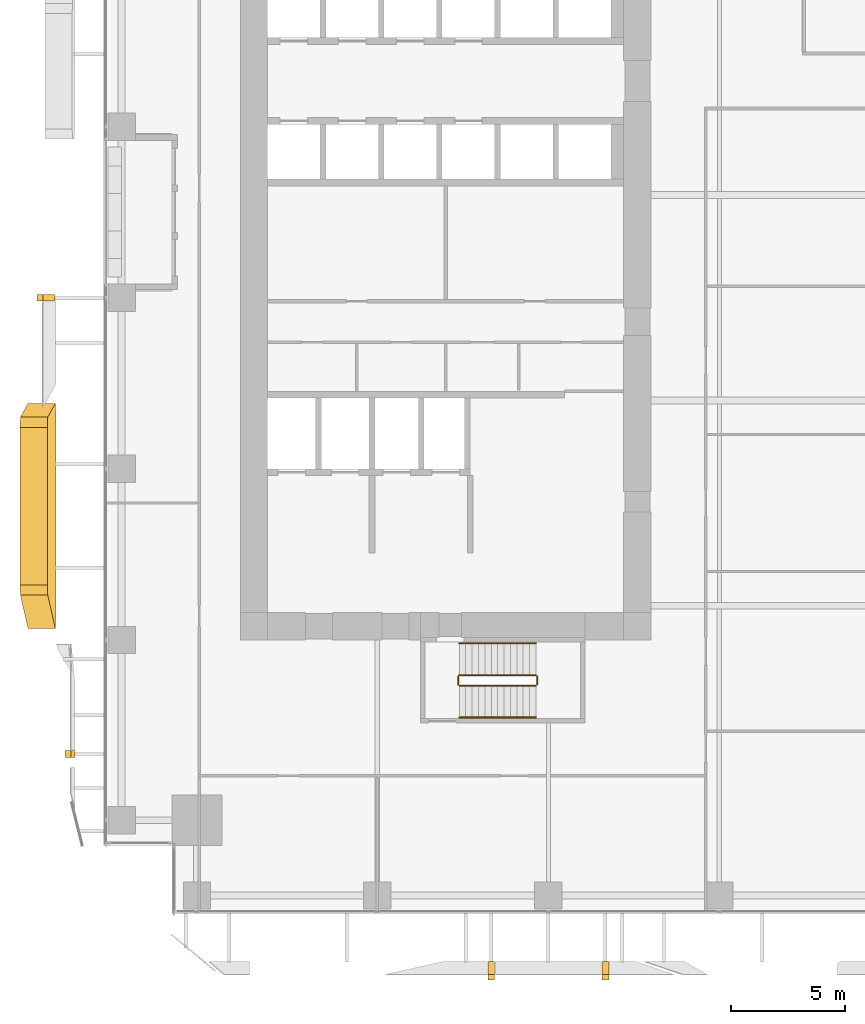
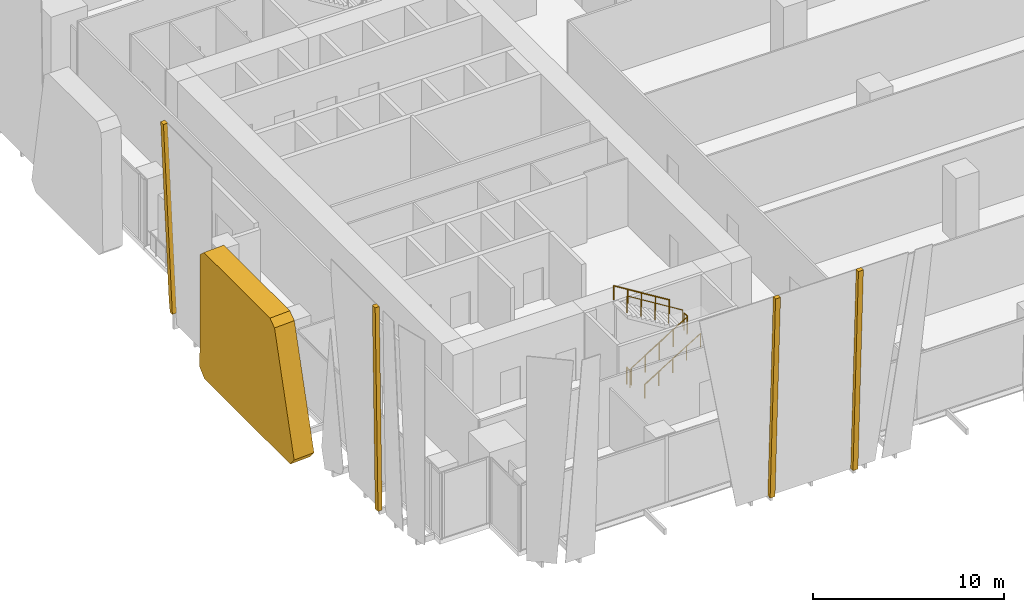
# One storey, part 33 of 37: 6 railings, 5 coverings.
"""IFC4 building model written with IfcOpenShell, lengths in metres."""

from ifc_helpers import new_model, si_unit, direction, frame, origin, origin_2d, place, context, subcontext, project, spatial, polyline, circle, outline, extrude, source, transform, mapped, material, layer, layer_set, type_object, element, save


model = new_model("IFC4")

# Units and contexts
model_context = context("Model", 3, precision=1e-05, world=origin(), true_north=direction((0.0, 1.0)))
body_context = subcontext(model_context, "Body", "Model", "MODEL_VIEW")
ifc_project = project(units=[si_unit("LENGTHUNIT", "METRE"), si_unit("AREAUNIT", "SQUARE_METRE"), si_unit("VOLUMEUNIT", "CUBIC_METRE"), si_unit("PLANEANGLEUNIT", "RADIAN"), si_unit("MASSUNIT", "GRAM", prefix="KILO")], contexts=[model_context])

# Site, building, storey
site_placement = place(None, origin())
site = spatial("IfcSite", under=ifc_project, at=site_placement, CompositionType="ELEMENT")
building_placement = place(site_placement, origin())
building = spatial("IfcBuilding", under=site, at=building_placement, Name="Khomas Fold Tower", CompositionType="ELEMENT")
storey_placement = place(building_placement, frame((0.0, 0.0, 60.0)))
storey = spatial("IfcBuildingStorey", under=building, at=storey_placement, Name="L12", CompositionType="ELEMENT", Elevation=60.0)

# Coverings
ifc_material_1 = material(Name="Natural stone cladding", Category="masonry")
ifc_layer_1 = layer(ifc_material_1, 0.25)
ifc_layer_set_1 = layer_set([ifc_layer_1], Name="Natural stone cladding")
covering_type_1 = type_object("IfcCoveringType", Name="SK-Karibib marble stone mullion", PredefinedType="CLADDING", material=ifc_layer_set_1)
for number, where, z_axis, x_axis, name in (
    (1, (16.85009765625, -2.08251953125, 0.0), (0.0, 0.99904235518, 0.043753543365), (0.0, -0.043753543365, 0.99904235518), "OUTER SKIN mullion L12 SM101-5"),
    (2, (21.85009765625, -2.08251953125, 0.0), (0.0, 0.99904235518, 0.043753543365), (0.0, -0.043753543365, 0.99904235518), "OUTER SKIN mullion L12 SM102-7"),
):
    element("IfcCovering", number, at=place(storey_placement, frame(where, z_axis=z_axis, x_axis=x_axis)), inside=storey, type_object=covering_type_1, Name=name, PredefinedType="CLADDING", context=body_context, shape_type="SweptSolid", body=[
        extrude(outline(polyline([(0.0, 0.0), (13.062558119247587, 0.0), (13.062558119247587, 0.2998046875), (0.0, 0.2998046875), (0.0, 0.0)])), origin(), (0.0, 0.0, -1.0), 0.25),
    ])
covering_1_placement = place(storey_placement, frame((-1.254638671875, 6.85009765625, 0.0), z_axis=(0.999913527075, 0.0, 0.013150603512), x_axis=(-0.013150603512, 0.0, 0.999913527075)))
element("IfcCovering", 3, at=covering_1_placement, inside=storey, type_object=covering_type_1, Name="OUTER SKIN mullion L12 WM099-3", PredefinedType="CLADDING", context=body_context, shape_type="SweptSolid", body=[
    extrude(outline(polyline([(0.0, 0.0), (13.051177401611568, 0.0), (13.051177401611568, -0.2998046875), (0.0, -0.2998046875), (0.0, 0.0)])), origin(), (0.0, 0.0, -1.0), 0.25),
])
covering_2_placement = place(storey_placement, frame((-2.654052734375, 26.85009765625, 13.050048828125), z_axis=(0.999041897103, 5.9209127e-05, 0.04376396151), x_axis=(-5.9152399e-05, 0.999999998247, -2.591226e-06)))
element("IfcCovering", 4, at=covering_2_placement, inside=storey, type_object=covering_type_1, Name="OUTER SKIN mullion L12 WM103-7", PredefinedType="CLADDING", context=body_context, shape_type="SweptSolid", body=[
    extrude(outline(polyline([(0.0, 0.0), (0.29980468697448426, 1.2697222402688975e-22), (0.29980468888397227, -11.609754720417), (0.24487304625319678, -12.311844963231476), (-1.9257499064227182e-10, -12.311844963231476), (0.0, 0.0)])), origin(), (0.0, 0.0, -1.0), 0.25),
])
ifc_material_2 = material(Name="Natural stone cladding", Category="masonry")
ifc_layer_2 = layer(ifc_material_2, 1.199951171875)
ifc_layer_set_2 = layer_set([ifc_layer_2], Name="Natural stone cladding")
covering_type_2 = type_object("IfcCoveringType", Name="SK-Karibib marble stone panel", PredefinedType="CLADDING", material=ifc_layer_set_2)
covering_3_placement = place(storey_placement, frame((-2.438720703125, 21.7685546875, 8.13525390625), z_axis=(0.999042163088, -2.30125e-06, 0.043757929192), x_axis=(0.043624788197, 0.078001642146, -0.995998304053)))
element("IfcCovering", 5, at=covering_3_placement, inside=storey, type_object=covering_type_2, Name="OUTER SKIN leaf L12 WS05-1", PredefinedType="CLADDING", context=body_context, shape_type="SweptSolid", body=[
    extrude(outline(polyline([(0.0, 0.0), (7.6808779533072675, 0.0), (8.12996901006076, -0.4852387191914024), (7.429725264122721, -9.435181892763541), (6.861462755301253, -9.833966018481041), (-0.6578366065588354, -7.771927482880289), (-0.9878248206598866, -7.302619314876279), (-0.44893554589024126, -0.4149770988434168), (0.0, 0.0)])), origin(), (0.0, 0.0, -1.0), 1.199951171875),
])

# Railings
ifc_material_3 = material(Name="Steel balustrade", Category="steel")
railing_type_1 = type_object("IfcRailingType", Name="Stair guard", PredefinedType="GUARDRAIL", material=ifc_material_3)
shared_shape_1 = source(origin(), body_context, "Body", "SweptSolid", [
    extrude(circle(Radius=0.02392578125, at=origin_2d()), frame((0.0, 0.0, 1.076171875), z_axis=(0.850606129759, 0.0, 0.525803396734), x_axis=(0.0, 1.0, 0.0)), (0.0, 0.0, 1.0), 3.949951171875),
    extrude(circle(Radius=0.02099609375, at=origin_2d()), origin(), (0.0, 0.0, 1.0), 1.052001953125),
    extrude(circle(Radius=0.02099609375, at=origin_2d()), frame((0.83984375, 0.0, 0.519287109375)), (0.0, 0.0, 1.0), 1.052001953125),
    extrude(circle(Radius=0.02099609375, at=origin_2d()), frame((1.679931640625, 0.0, 1.03857421875)), (0.0, 0.0, 1.0), 1.052001953125),
    extrude(circle(Radius=0.02099609375, at=origin_2d()), frame((2.52001953125, 0.0, 1.5576171875)), (0.0, 0.0, 1.0), 1.052001953125),
    extrude(circle(Radius=0.02099609375, at=origin_2d()), frame((3.35986328125, 0.0, 2.076904296875)), (0.0, 0.0, 1.0), 1.052001953125),
])
railing_1_placement = place(storey_placement, frame((15.60009765625, 10.0, 0.173095703125)))
element("IfcRailing", 6, at=railing_1_placement, inside=storey, type_object=railing_type_1, Name="L12 ST2 stair guard 1", PredefinedType="GUARDRAIL", context=body_context, shape_type="MappedRepresentation", body=[
    mapped(shared_shape_1, transform((0.0, 0.0, 0.0))),
])
shared_shape_2 = source(origin(), body_context, "Body", "SweptSolid", [
    extrude(circle(Radius=0.02392578125, at=origin_2d()), frame((0.0, 0.0, 1.076171875), z_axis=(0.0, 1.0, 0.0), x_axis=(-1.0, 0.0, 0.0)), (0.0, 0.0, 1.0), 0.349853515625),
    extrude(circle(Radius=0.02099609375, at=origin_2d()), origin(), (0.0, 0.0, 1.0), 1.052001953125),
    extrude(circle(Radius=0.02099609375, at=origin_2d()), frame((0.0, 0.349853515625, 0.0)), (0.0, 0.0, 1.0), 1.052001953125),
])
for number, where, name in (
    (7, (19.010009765625, 10.050048828125, 2.25), "L12 ST2 stair guard 2"),
    (8, (15.550048828125, 10.050048828125, 0.0), "L12 ST2 stair guard 4"),
):
    element("IfcRailing", number, at=place(storey_placement, frame(where)), inside=storey, type_object=railing_type_1, Name=name, PredefinedType="GUARDRAIL", context=body_context, shape_type="MappedRepresentation", body=[
        mapped(shared_shape_2, transform((0.0, 0.0, 0.0))),
    ])
shared_shape_3 = source(origin(), body_context, "Body", "SweptSolid", [
    extrude(circle(Radius=0.02392578125, at=origin_2d()), frame((0.0, 0.0, 1.076171875), z_axis=(-0.850606129759, 0.0, 0.525803396734), x_axis=(0.0, -1.0, 0.0)), (0.0, 0.0, 1.0), 3.949951171875),
    extrude(circle(Radius=0.02099609375, at=origin_2d()), origin(), (0.0, 0.0, 1.0), 1.052001953125),
    extrude(circle(Radius=0.02099609375, at=origin_2d()), frame((-0.83984375, 0.0, 0.519287109375)), (0.0, 0.0, 1.0), 1.052001953125),
    extrude(circle(Radius=0.02099609375, at=origin_2d()), frame((-1.679931640625, 0.0, 1.03857421875)), (0.0, 0.0, 1.0), 1.052001953125),
    extrude(circle(Radius=0.02099609375, at=origin_2d()), frame((-2.52001953125, 0.0, 1.5576171875)), (0.0, 0.0, 1.0), 1.052001953125),
    extrude(circle(Radius=0.02099609375, at=origin_2d()), frame((-3.35986328125, 0.0, 2.076904296875)), (0.0, 0.0, 1.0), 1.052001953125),
])
railing_2_placement = place(storey_placement, frame((18.9599609375, 10.449951171875, 2.423095703125)))
element("IfcRailing", 9, at=railing_2_placement, inside=storey, type_object=railing_type_1, Name="L12 ST2 stair guard 3", PredefinedType="GUARDRAIL", context=body_context, shape_type="MappedRepresentation", body=[
    mapped(shared_shape_3, transform((0.0, 0.0, 0.0))),
])
ifc_material_4 = material(Name="Steel handrail", Category="steel")
railing_type_2 = type_object("IfcRailingType", Name="Stair handrail", PredefinedType="HANDRAIL", material=ifc_material_4)
shared_shape_4 = source(origin(), body_context, "Body", "SweptSolid", [
    extrude(circle(Radius=0.02392578125, at=origin_2d()), frame((0.0, 0.0, 0.8759765625), z_axis=(0.850606129759, 0.0, 0.525803396734), x_axis=(0.0, 1.0, 0.0)), (0.0, 0.0, 1.0), 3.949951171875),
    extrude(circle(Radius=0.02099609375, at=origin_2d()), origin(), (0.0, 0.0, 1.0), 0.851806640625),
    extrude(circle(Radius=0.02099609375, at=origin_2d()), frame((0.83984375, 0.0, 0.519287109375)), (0.0, 0.0, 1.0), 0.851806640625),
    extrude(circle(Radius=0.02099609375, at=origin_2d()), frame((1.679931640625, 0.0, 1.03857421875)), (0.0, 0.0, 1.0), 0.851806640625),
    extrude(circle(Radius=0.02099609375, at=origin_2d()), frame((2.52001953125, 0.0, 1.5576171875)), (0.0, 0.0, 1.0), 0.851806640625),
    extrude(circle(Radius=0.02099609375, at=origin_2d()), frame((3.35986328125, 0.0, 2.076904296875)), (0.0, 0.0, 1.0), 0.851806640625),
])
railing_3_placement = place(storey_placement, frame((15.60009765625, 8.60009765625, 0.173095703125)))
element("IfcRailing", 10, at=railing_3_placement, inside=storey, type_object=railing_type_2, Name="L12 ST2 stair handrail 1", PredefinedType="HANDRAIL", context=body_context, shape_type="MappedRepresentation", body=[
    mapped(shared_shape_4, transform((0.0, 0.0, 0.0))),
])
shared_shape_5 = source(origin(), body_context, "Body", "SweptSolid", [
    extrude(circle(Radius=0.02392578125, at=origin_2d()), frame((0.0, 0.0, 0.8759765625), z_axis=(-0.850606129759, 0.0, 0.525803396734), x_axis=(0.0, -1.0, 0.0)), (0.0, 0.0, 1.0), 3.949951171875),
    extrude(circle(Radius=0.02099609375, at=origin_2d()), origin(), (0.0, 0.0, 1.0), 0.851806640625),
    extrude(circle(Radius=0.02099609375, at=origin_2d()), frame((-0.83984375, 0.0, 0.519287109375)), (0.0, 0.0, 1.0), 0.851806640625),
    extrude(circle(Radius=0.02099609375, at=origin_2d()), frame((-1.679931640625, 0.0, 1.03857421875)), (0.0, 0.0, 1.0), 0.851806640625),
    extrude(circle(Radius=0.02099609375, at=origin_2d()), frame((-2.52001953125, 0.0, 1.5576171875)), (0.0, 0.0, 1.0), 0.851806640625),
    extrude(circle(Radius=0.02099609375, at=origin_2d()), frame((-3.35986328125, 0.0, 2.076904296875)), (0.0, 0.0, 1.0), 0.851806640625),
])
railing_4_placement = place(storey_placement, frame((18.9599609375, 11.85009765625, 2.423095703125)))
element("IfcRailing", 11, at=railing_4_placement, inside=storey, type_object=railing_type_2, Name="L12 ST2 stair handrail 2", PredefinedType="HANDRAIL", context=body_context, shape_type="MappedRepresentation", body=[
    mapped(shared_shape_5, transform((0.0, 0.0, 0.0))),
])

save(model, "model.ifc")
